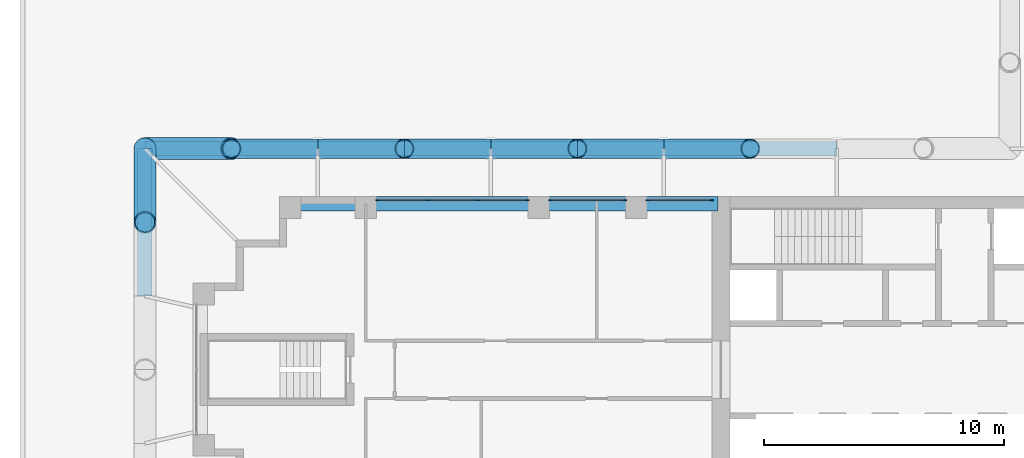
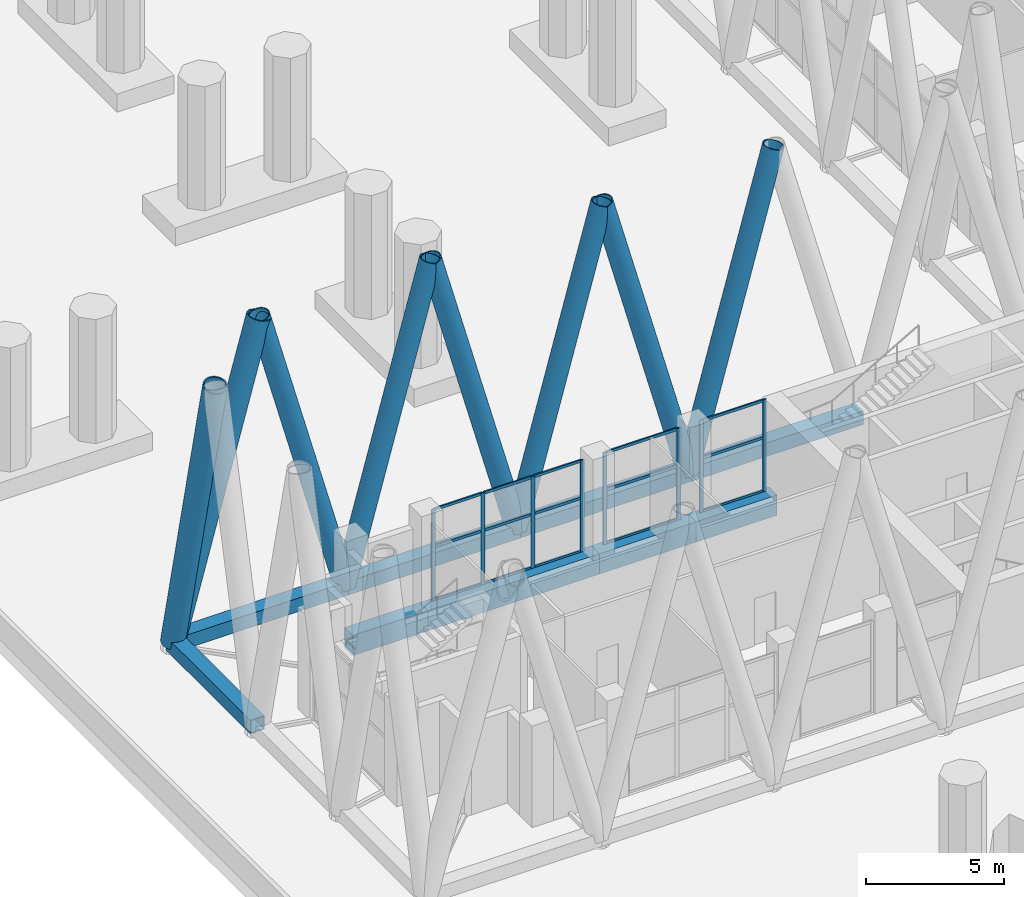
# One storey, part 5 of 31: 36 members, 4 beams, 3 elements without a shape of their own.
"""IFC4 building model written with IfcOpenShell, lengths in metres."""

from ifc_helpers import new_model, si_unit, direction, frame, origin, origin_2d, place, context, subcontext, project, spatial, rectangle, hollow_rectangle, hollow_circle, extrude, material, material_profile, profile_set, type_object, element, aggregate, save


model = new_model("IFC4")

# Units and contexts
model_context = context("Model", 3, precision=1e-05, world=origin(), true_north=direction((0.0, 1.0)))
body_context = subcontext(model_context, "Body", "Model", "MODEL_VIEW")
ifc_project = project(units=[si_unit("LENGTHUNIT", "METRE"), si_unit("AREAUNIT", "SQUARE_METRE"), si_unit("VOLUMEUNIT", "CUBIC_METRE"), si_unit("PLANEANGLEUNIT", "RADIAN"), si_unit("MASSUNIT", "GRAM", prefix="KILO")], contexts=[model_context])

# Site, building, storey
site_placement = place(None, origin())
site = spatial("IfcSite", under=ifc_project, at=site_placement, CompositionType="ELEMENT")
building_placement = place(site_placement, origin())
building = spatial("IfcBuilding", under=site, at=building_placement, Name="Fustian Cross Tower", CompositionType="ELEMENT")
storey_placement = place(building_placement, frame((0.0, 0.0, 7.199951171875)))
storey = spatial("IfcBuildingStorey", under=building, at=storey_placement, Name="L01", CompositionType="ELEMENT", Elevation=7.199951171875)

# Curtain wall, members
ifc_material_1 = material(Name="Glass", Category="glass")
curtain_wall_type = type_object("IfcCurtainWallType", Name="CW4 CURTAIN WALL", PredefinedType="NOTDEFINED", material=ifc_material_1)
curtain_wall_1_placement = place(storey_placement, origin())
curtain_wall_1 = element("IfcCurtainWall", 1, at=curtain_wall_1_placement, inside=storey, type_object=curtain_wall_type, Name="Curtain wall CW4", PredefinedType="NOTDEFINED")
ifc_material_2 = material(Name="Aluminium alloy 6063", Category="aluminium")
ifc_material_profile_1 = material_profile(ifc_material_2, rectangle(XDim=0.06005859375, YDim=0.159912109375, at=origin_2d()), Name="CW4 MULLION 60x160")
ifc_profile_set_1 = profile_set([ifc_material_profile_1], Name="Aluminium alloy 6063")
member_type_1 = type_object("IfcMemberType", Name="CW4 MULLION 60x160", PredefinedType="MULLION", material=ifc_profile_set_1)
member_1_placement = place(storey_placement, frame((-21.6298828125, 7.050048828125, 0.0), z_axis=(0.0, 0.0, 1.0), x_axis=(0.0, -1.0, 0.0)))
member_1 = element("IfcMember", 2, at=member_1_placement, type_object=member_type_1, Name="CW4 mullion 1", PredefinedType="MULLION", context=body_context, shape_type="SweptSolid", body=[
    extrude(rectangle(XDim=0.06005859375, YDim=0.159912109375, at=origin_2d()), origin(), (0.0, 0.0, 1.0), 4.074951171875),
])
member_2_placement = place(storey_placement, frame((-24.27001953125, 7.050048828125, 0.0), z_axis=(0.0, 0.0, 1.0), x_axis=(0.0, -1.0, 0.0)))
member_2 = element("IfcMember", 3, at=member_2_placement, type_object=member_type_1, Name="CW4 mullion 2", PredefinedType="MULLION", context=body_context, shape_type="SweptSolid", body=[
    extrude(rectangle(XDim=0.06005859375, YDim=0.159912109375, at=origin_2d()), origin(), (0.0, 0.0, 1.0), 4.074951171875),
])

curtain_wall_2_placement = place(storey_placement, origin())
curtain_wall_2 = element("IfcCurtainWall", 4, at=curtain_wall_2_placement, inside=storey, type_object=curtain_wall_type, Name="Curtain wall CW4", PredefinedType="NOTDEFINED")
member_3_placement = place(storey_placement, frame((-25.22998046875, 7.050048828125, 0.0), z_axis=(0.0, 0.0, 1.0), x_axis=(0.0, -1.0, 0.0)))
member_3 = element("IfcMember", 5, at=member_3_placement, type_object=member_type_1, Name="CW4 mullion 1", PredefinedType="MULLION", context=body_context, shape_type="SweptSolid", body=[
    extrude(rectangle(XDim=0.06005859375, YDim=0.159912109375, at=origin_2d()), origin(), (0.0, 0.0, 1.0), 4.074951171875),
])
member_4_placement = place(storey_placement, frame((-28.320068359375, 7.050048828125, 0.0), z_axis=(0.0, 0.0, 1.0), x_axis=(0.0, -1.0, 0.0)))
member_4 = element("IfcMember", 6, at=member_4_placement, type_object=member_type_1, Name="CW4 mullion 2", PredefinedType="MULLION", context=body_context, shape_type="SweptSolid", body=[
    extrude(rectangle(XDim=0.06005859375, YDim=0.159912109375, at=origin_2d()), origin(), (0.0, 0.0, 1.0), 4.074951171875),
])

curtain_wall_3_placement = place(storey_placement, origin())
curtain_wall_3 = element("IfcCurtainWall", 7, at=curtain_wall_3_placement, inside=storey, type_object=curtain_wall_type, Name="Curtain wall CW4", PredefinedType="NOTDEFINED")
member_5_placement = place(storey_placement, frame((-29.280029296875, 7.050048828125, 0.0), z_axis=(0.0, 0.0, 1.0), x_axis=(0.0, -1.0, 0.0)))
member_5 = element("IfcMember", 8, at=member_5_placement, type_object=member_type_1, Name="CW4 mullion 1", PredefinedType="MULLION", context=body_context, shape_type="SweptSolid", body=[
    extrude(rectangle(XDim=0.06005859375, YDim=0.159912109375, at=origin_2d()), origin(), (0.0, 0.0, 1.0), 4.074951171875),
])
member_6_placement = place(storey_placement, frame((-31.35009765625, 7.050048828125, 0.0), z_axis=(0.0, 0.0, 1.0), x_axis=(0.0, -1.0, 0.0)))
member_6 = element("IfcMember", 9, at=member_6_placement, type_object=member_type_1, Name="CW4 mullion 2", PredefinedType="MULLION", context=body_context, shape_type="SweptSolid", body=[
    extrude(rectangle(XDim=0.06005859375, YDim=0.159912109375, at=origin_2d()), origin(), (0.0, 0.0, 1.0), 4.074951171875),
])
member_7_placement = place(storey_placement, frame((-33.449951171875, 7.050048828125, 0.0), z_axis=(0.0, 0.0, 1.0), x_axis=(0.0, -1.0, 0.0)))
member_7 = element("IfcMember", 10, at=member_7_placement, type_object=member_type_1, Name="CW4 mullion 3", PredefinedType="MULLION", context=body_context, shape_type="SweptSolid", body=[
    extrude(rectangle(XDim=0.06005859375, YDim=0.159912109375, at=origin_2d()), origin(), (0.0, 0.0, 1.0), 4.074951171875),
])
member_8_placement = place(storey_placement, frame((-35.52001953125, 7.050048828125, 0.0), z_axis=(0.0, 0.0, 1.0), x_axis=(0.0, -1.0, 0.0)))
member_8 = element("IfcMember", 11, at=member_8_placement, type_object=member_type_1, Name="CW4 mullion 4", PredefinedType="MULLION", context=body_context, shape_type="SweptSolid", body=[
    extrude(rectangle(XDim=0.06005859375, YDim=0.159912109375, at=origin_2d()), origin(), (0.0, 0.0, 1.0), 4.074951171875),
])

# Member
ifc_material_3 = material(Name="Aluminium alloy 6063", Category="aluminium")
ifc_material_profile_2 = material_profile(ifc_material_3, rectangle(XDim=0.06005859375, YDim=0.1201171875, at=origin_2d()), Name="CW4 TRANSOM 60x120")
ifc_profile_set_2 = profile_set([ifc_material_profile_2], Name="Aluminium alloy 6063")
member_type_2 = type_object("IfcMemberType", Name="CW4 TRANSOM 60x120", PredefinedType="USERDEFINED", material=ifc_profile_set_2)
member_9_placement = place(storey_placement, frame((-21.659912109375, 7.050048828125, 0.030029296875), z_axis=(-1.0, 0.0, 0.0), x_axis=(0.0, -1.0, 0.0)))
member_9 = element("IfcMember", 12, at=member_9_placement, type_object=member_type_2, Name="CW4 transom 1.1", ObjectType="TRANSOM", PredefinedType="USERDEFINED", context=body_context, shape_type="SweptSolid", body=[
    extrude(rectangle(XDim=0.06005859375, YDim=0.1201171875, at=origin_2d()), origin(), (0.0, 0.0, 1.0), 2.580078125),
])

member_10_placement = place(storey_placement, frame((-21.659912109375, 7.050048828125, 2.400146484375), z_axis=(-1.0, 0.0, 0.0), x_axis=(0.0, -1.0, 0.0)))
member_10 = element("IfcMember", 13, at=member_10_placement, type_object=member_type_2, Name="CW4 transom 1.2", ObjectType="TRANSOM", PredefinedType="USERDEFINED", context=body_context, shape_type="SweptSolid", body=[
    extrude(rectangle(XDim=0.06005859375, YDim=0.1201171875, at=origin_2d()), origin(), (0.0, 0.0, 1.0), 2.580078125),
])

member_11_placement = place(storey_placement, frame((-21.659912109375, 7.050048828125, 4.045166015625), z_axis=(-1.0, 0.0, 0.0), x_axis=(0.0, -1.0, 0.0)))
member_11 = element("IfcMember", 14, at=member_11_placement, type_object=member_type_2, Name="CW4 transom 1.3", ObjectType="TRANSOM", PredefinedType="USERDEFINED", context=body_context, shape_type="SweptSolid", body=[
    extrude(rectangle(XDim=0.06005859375, YDim=0.1201171875, at=origin_2d()), origin(), (0.0, 0.0, 1.0), 2.580078125),
])

aggregate(curtain_wall_1, [member_1, member_2, member_9, member_10, member_11])

member_12_placement = place(storey_placement, frame((-25.260009765625, 7.050048828125, 0.030029296875), z_axis=(-1.0, 0.0, 0.0), x_axis=(0.0, -1.0, 0.0)))
member_12 = element("IfcMember", 15, at=member_12_placement, type_object=member_type_2, Name="CW4 transom 1.1", ObjectType="TRANSOM", PredefinedType="USERDEFINED", context=body_context, shape_type="SweptSolid", body=[
    extrude(rectangle(XDim=0.06005859375, YDim=0.1201171875, at=origin_2d()), origin(), (0.0, 0.0, 1.0), 3.030029296875),
])

member_13_placement = place(storey_placement, frame((-25.260009765625, 7.050048828125, 2.400146484375), z_axis=(-1.0, 0.0, 0.0), x_axis=(0.0, -1.0, 0.0)))
member_13 = element("IfcMember", 16, at=member_13_placement, type_object=member_type_2, Name="CW4 transom 1.2", ObjectType="TRANSOM", PredefinedType="USERDEFINED", context=body_context, shape_type="SweptSolid", body=[
    extrude(rectangle(XDim=0.06005859375, YDim=0.1201171875, at=origin_2d()), origin(), (0.0, 0.0, 1.0), 3.030029296875),
])

member_14_placement = place(storey_placement, frame((-25.260009765625, 7.050048828125, 4.045166015625), z_axis=(-1.0, 0.0, 0.0), x_axis=(0.0, -1.0, 0.0)))
member_14 = element("IfcMember", 17, at=member_14_placement, type_object=member_type_2, Name="CW4 transom 1.3", ObjectType="TRANSOM", PredefinedType="USERDEFINED", context=body_context, shape_type="SweptSolid", body=[
    extrude(rectangle(XDim=0.06005859375, YDim=0.1201171875, at=origin_2d()), origin(), (0.0, 0.0, 1.0), 3.030029296875),
])

aggregate(curtain_wall_2, [member_3, member_4, member_12, member_13, member_14])

member_15_placement = place(storey_placement, frame((-29.31005859375, 7.050048828125, 0.030029296875), z_axis=(-1.0, 0.0, 0.0), x_axis=(0.0, -1.0, 0.0)))
member_15 = element("IfcMember", 18, at=member_15_placement, type_object=member_type_2, Name="CW4 transom 1.1", ObjectType="TRANSOM", PredefinedType="USERDEFINED", context=body_context, shape_type="SweptSolid", body=[
    extrude(rectangle(XDim=0.06005859375, YDim=0.1201171875, at=origin_2d()), origin(), (0.0, 0.0, 1.0), 2.010009765625),
])

member_16_placement = place(storey_placement, frame((-29.31005859375, 7.050048828125, 2.400146484375), z_axis=(-1.0, 0.0, 0.0), x_axis=(0.0, -1.0, 0.0)))
member_16 = element("IfcMember", 19, at=member_16_placement, type_object=member_type_2, Name="CW4 transom 1.2", ObjectType="TRANSOM", PredefinedType="USERDEFINED", context=body_context, shape_type="SweptSolid", body=[
    extrude(rectangle(XDim=0.06005859375, YDim=0.1201171875, at=origin_2d()), origin(), (0.0, 0.0, 1.0), 2.010009765625),
])

member_17_placement = place(storey_placement, frame((-29.31005859375, 7.050048828125, 4.045166015625), z_axis=(-1.0, 0.0, 0.0), x_axis=(0.0, -1.0, 0.0)))
member_17 = element("IfcMember", 20, at=member_17_placement, type_object=member_type_2, Name="CW4 transom 1.3", ObjectType="TRANSOM", PredefinedType="USERDEFINED", context=body_context, shape_type="SweptSolid", body=[
    extrude(rectangle(XDim=0.06005859375, YDim=0.1201171875, at=origin_2d()), origin(), (0.0, 0.0, 1.0), 2.010009765625),
])

member_18_placement = place(storey_placement, frame((-31.3798828125, 7.050048828125, 0.030029296875), z_axis=(-1.0, 0.0, 0.0), x_axis=(0.0, -1.0, 0.0)))
member_18 = element("IfcMember", 21, at=member_18_placement, type_object=member_type_2, Name="CW4 transom 2.1", ObjectType="TRANSOM", PredefinedType="USERDEFINED", context=body_context, shape_type="SweptSolid", body=[
    extrude(rectangle(XDim=0.06005859375, YDim=0.1201171875, at=origin_2d()), origin(), (0.0, 0.0, 1.0), 2.0400390625),
])

member_19_placement = place(storey_placement, frame((-31.3798828125, 7.050048828125, 2.400146484375), z_axis=(-1.0, 0.0, 0.0), x_axis=(0.0, -1.0, 0.0)))
member_19 = element("IfcMember", 22, at=member_19_placement, type_object=member_type_2, Name="CW4 transom 2.2", ObjectType="TRANSOM", PredefinedType="USERDEFINED", context=body_context, shape_type="SweptSolid", body=[
    extrude(rectangle(XDim=0.06005859375, YDim=0.1201171875, at=origin_2d()), origin(), (0.0, 0.0, 1.0), 2.0400390625),
])

member_20_placement = place(storey_placement, frame((-31.3798828125, 7.050048828125, 4.045166015625), z_axis=(-1.0, 0.0, 0.0), x_axis=(0.0, -1.0, 0.0)))
member_20 = element("IfcMember", 23, at=member_20_placement, type_object=member_type_2, Name="CW4 transom 2.3", ObjectType="TRANSOM", PredefinedType="USERDEFINED", context=body_context, shape_type="SweptSolid", body=[
    extrude(rectangle(XDim=0.06005859375, YDim=0.1201171875, at=origin_2d()), origin(), (0.0, 0.0, 1.0), 2.0400390625),
])

member_21_placement = place(storey_placement, frame((-33.47998046875, 7.050048828125, 0.030029296875), z_axis=(-1.0, 0.0, 0.0), x_axis=(0.0, -1.0, 0.0)))
member_21 = element("IfcMember", 24, at=member_21_placement, type_object=member_type_2, Name="CW4 transom 3.1", ObjectType="TRANSOM", PredefinedType="USERDEFINED", context=body_context, shape_type="SweptSolid", body=[
    extrude(rectangle(XDim=0.06005859375, YDim=0.1201171875, at=origin_2d()), origin(), (0.0, 0.0, 1.0), 2.010009765625),
])

member_22_placement = place(storey_placement, frame((-33.47998046875, 7.050048828125, 2.400146484375), z_axis=(-1.0, 0.0, 0.0), x_axis=(0.0, -1.0, 0.0)))
member_22 = element("IfcMember", 25, at=member_22_placement, type_object=member_type_2, Name="CW4 transom 3.2", ObjectType="TRANSOM", PredefinedType="USERDEFINED", context=body_context, shape_type="SweptSolid", body=[
    extrude(rectangle(XDim=0.06005859375, YDim=0.1201171875, at=origin_2d()), origin(), (0.0, 0.0, 1.0), 2.010009765625),
])

member_23_placement = place(storey_placement, frame((-33.47998046875, 7.050048828125, 4.045166015625), z_axis=(-1.0, 0.0, 0.0), x_axis=(0.0, -1.0, 0.0)))
member_23 = element("IfcMember", 26, at=member_23_placement, type_object=member_type_2, Name="CW4 transom 3.3", ObjectType="TRANSOM", PredefinedType="USERDEFINED", context=body_context, shape_type="SweptSolid", body=[
    extrude(rectangle(XDim=0.06005859375, YDim=0.1201171875, at=origin_2d()), origin(), (0.0, 0.0, 1.0), 2.010009765625),
])

aggregate(curtain_wall_3, [member_5, member_6, member_7, member_8, member_15, member_16, member_17, member_18, member_19, member_20, member_21, member_22, member_23])

# Members
ifc_material_4 = material(Name="Steel S355", Category="steel")
ifc_material_profile_3 = material_profile(ifc_material_4, hollow_circle(Radius=0.406494140625, WallThickness=0.0400390625, at=origin_2d()), Name="CHS 813x40")
ifc_profile_set_3 = profile_set([ifc_material_profile_3], Name="Steel S355")
member_type_3 = type_object("IfcMemberType", Name="DIAGRID DIAGONAL CHS 813x40", PredefinedType="BRACE", material=ifc_profile_set_3)
for number, where, z_axis, x_axis, name in (
    (27, (-23.60009765625, 9.199951171875, 0.300048828125), (0.263124955092, 0.0, 0.964761762306), (0.0, 1.0, 0.0), "Diagrid diagonal W-N 04"),
    (28, (-23.60009765625, 9.199951171875, 0.300048828125), (-0.263108346568, 0.0, 0.964766291889), (0.0, -1.0, 0.0), "Diagrid diagonal W-N 05"),
    (29, (-30.800048828125, 9.199951171875, 0.300048828125), (0.263124955092, 0.0, 0.964761762306), (0.0, 1.0, 0.0), "Diagrid diagonal W-N 06"),
    (30, (-30.800048828125, 9.199951171875, 0.300048828125), (-0.263108346568, 0.0, 0.964766291889), (0.0, -1.0, 0.0), "Diagrid diagonal W-N 07"),
    (31, (-38.0, 9.199951171875, 0.300048828125), (0.263124955092, 0.0, 0.964761762306), (0.0, 1.0, 0.0), "Diagrid diagonal W-N 08"),
    (32, (-38.0, 9.199951171875, 0.300048828125), (-0.263124955092, 0.0, 0.964761762306), (0.0, -1.0, 0.0), "Diagrid diagonal W-N 09"),
):
    element("IfcMember", number, at=place(storey_placement, frame(where, z_axis=z_axis, x_axis=x_axis)), inside=storey, type_object=member_type_3, Name=name, PredefinedType="BRACE", context=body_context, shape_type="SweptSolid", body=[
        extrude(hollow_circle(Radius=0.406494140625, WallThickness=0.0400390625, at=origin_2d()), origin(), (0.0, 0.0, 1.0), 13.68212890625),
    ])
ifc_material_5 = material(Name="Steel S355", Category="steel")
ifc_material_profile_4 = material_profile(ifc_material_5, hollow_circle(Radius=0.457275390625, WallThickness=0.050048828125, at=origin_2d()), Name="CHS 914x50")
ifc_profile_set_4 = profile_set([ifc_material_profile_4], Name="Steel S355")
member_type_4 = type_object("IfcMemberType", Name="DIAGRID DIAGONAL CHS 914x50", PredefinedType="BRACE", material=ifc_profile_set_4)
member_24_placement = place(storey_placement, frame((-45.199951171875, 9.199951171875, 0.300048828125), z_axis=(0.263108346568, 0.0, 0.964766291889), x_axis=(0.0, 1.0, 0.0)))
element("IfcMember", 33, at=member_24_placement, inside=storey, type_object=member_type_4, Name="Diagrid diagonal W-N 10", PredefinedType="BRACE", context=body_context, shape_type="SweptSolid", body=[
    extrude(hollow_circle(Radius=0.457275390625, WallThickness=0.050048828125, at=origin_2d()), origin(), (0.0, 0.0, 1.0), 13.68212890625),
])
member_25_placement = place(storey_placement, frame((-45.199951171875, 9.199951171875, 0.300048828125), z_axis=(0.0, -0.226296070395, 0.974058565243), x_axis=(1.0, 0.0, 0.0)))
element("IfcMember", 34, at=member_25_placement, inside=storey, type_object=member_type_4, Name="Diagrid diagonal W-end 01", PredefinedType="BRACE", context=body_context, shape_type="SweptSolid", body=[
    extrude(hollow_circle(Radius=0.457275390625, WallThickness=0.050048828125, at=origin_2d()), origin(), (0.0, 0.0, 1.0), 13.551513671875),
])
ifc_material_6 = material(Name="Steel S355", Category="steel")
ifc_material_profile_5 = material_profile(ifc_material_6, hollow_rectangle(XDim=0.60009765625, YDim=0.60009765625, WallThickness=0.030029296875, at=origin_2d()), Name="RHS 600x600x30")
ifc_profile_set_5 = profile_set([ifc_material_profile_5], Name="Steel S355")
member_type_5 = type_object("IfcMemberType", Name="DIAGRID RING RHS 600x600x30", PredefinedType="MEMBER", material=ifc_profile_set_5)
member_26_placement = place(storey_placement, frame((-16.39990234375, 9.199951171875, 0.300048828125), z_axis=(-1.0, 0.0, 0.0), x_axis=(0.0, -1.0, 0.0)))
element("IfcMember", 35, at=member_26_placement, inside=storey, type_object=member_type_5, Name="Diagrid ring L01-20 L01-21", PredefinedType="MEMBER", context=body_context, shape_type="SweptSolid", body=[
    extrude(hollow_rectangle(XDim=0.60009765625, YDim=0.60009765625, WallThickness=0.030029296875, at=origin_2d()), origin(), (0.0, 0.0, 1.0), 7.2001953125),
])
for number, where, z_axis, x_axis, name in (
    (36, (-23.60009765625, 9.199951171875, 0.300048828125), (-1.0, 0.0, 0.0), (0.0, -1.0, 0.0), "Diagrid ring L01-21 L01-22"),
    (37, (-30.800048828125, 9.199951171875, 0.300048828125), (-1.0, 0.0, 0.0), (0.0, -1.0, 0.0), "Diagrid ring L01-22 L01-23"),
    (38, (-38.0, 9.199951171875, 0.300048828125), (-1.0, 0.0, 0.0), (0.0, -1.0, 0.0), "Diagrid ring L01-23 L01-24"),
):
    element("IfcMember", number, at=place(storey_placement, frame(where, z_axis=z_axis, x_axis=x_axis)), inside=storey, type_object=member_type_5, Name=name, PredefinedType="MEMBER", context=body_context, shape_type="SweptSolid", body=[
        extrude(hollow_rectangle(XDim=0.60009765625, YDim=0.60009765625, WallThickness=0.030029296875, at=origin_2d()), origin(), (0.0, 0.0, 1.0), 7.199951171875),
    ])
member_27_placement = place(storey_placement, frame((-45.199951171875, 9.199951171875, 0.300048828125), z_axis=(0.0, -1.0, 0.0), x_axis=(1.0, 0.0, 0.0)))
element("IfcMember", 39, at=member_27_placement, inside=storey, type_object=member_type_5, Name="Diagrid ring L01-24 L01-25", PredefinedType="MEMBER", context=body_context, shape_type="SweptSolid", body=[
    extrude(hollow_rectangle(XDim=0.60009765625, YDim=0.60009765625, WallThickness=0.030029296875, at=origin_2d()), origin(), (0.0, 0.0, 1.0), 6.13330078125),
])

# Beams
ifc_material_7 = material(Name="Concrete C50/60", Category="concrete")
ifc_material_profile_6 = material_profile(ifc_material_7, rectangle(XDim=0.60009765625, YDim=0.89990234375, at=origin_2d()), Name="RC 600x900")
ifc_profile_set_6 = profile_set([ifc_material_profile_6], Name="Concrete C50/60")
beam_type = type_object("IfcBeamType", Name="EDGE BEAM RC 600x900 C50/60", PredefinedType="SPANDREL", material=ifc_profile_set_6)
beam_1_placement = place(storey_placement, frame((-21.35009765625, 6.89990234375, -0.449951171875), z_axis=(-1.0, 0.0, 0.0), x_axis=(0.0, -1.0, 0.0)))
element("IfcBeam", 40, at=beam_1_placement, inside=storey, type_object=beam_type, Name="EDGE BEAM L01-23", PredefinedType="SPANDREL", context=body_context, shape_type="SweptSolid", body=[
    extrude(rectangle(XDim=0.60009765625, YDim=0.89990234375, at=origin_2d()), origin(), (0.0, 0.0, 1.0), 3.39990234375),
])
beam_2_placement = place(storey_placement, frame((-24.75, 6.89990234375, -0.449951171875), z_axis=(-1.0, 0.0, 0.0), x_axis=(0.0, -1.0, 0.0)))
element("IfcBeam", 41, at=beam_2_placement, inside=storey, type_object=beam_type, Name="EDGE BEAM L01-24", PredefinedType="SPANDREL", context=body_context, shape_type="SweptSolid", body=[
    extrude(rectangle(XDim=0.60009765625, YDim=0.89990234375, at=origin_2d()), origin(), (0.0, 0.0, 1.0), 4.050048828125),
])
beam_3_placement = place(storey_placement, frame((-28.800048828125, 6.89990234375, -0.449951171875), z_axis=(-1.0, 0.0, 0.0), x_axis=(0.0, -1.0, 0.0)))
element("IfcBeam", 42, at=beam_3_placement, inside=storey, type_object=beam_type, Name="EDGE BEAM L01-25", PredefinedType="SPANDREL", context=body_context, shape_type="SweptSolid", body=[
    extrude(rectangle(XDim=0.60009765625, YDim=0.89990234375, at=origin_2d()), origin(), (0.0, 0.0, 1.0), 7.199951171875),
])
beam_4_placement = place(storey_placement, frame((-36.0, 6.89990234375, -0.449951171875), z_axis=(-1.0, 0.0, 0.0), x_axis=(0.0, -1.0, 0.0)))
element("IfcBeam", 43, at=beam_4_placement, inside=storey, type_object=beam_type, Name="EDGE BEAM L01-26", PredefinedType="SPANDREL", context=body_context, shape_type="SweptSolid", body=[
    extrude(rectangle(XDim=0.60009765625, YDim=0.89990234375, at=origin_2d()), origin(), (0.0, 0.0, 1.0), 3.14990234375),
])

save(model, "model.ifc")
